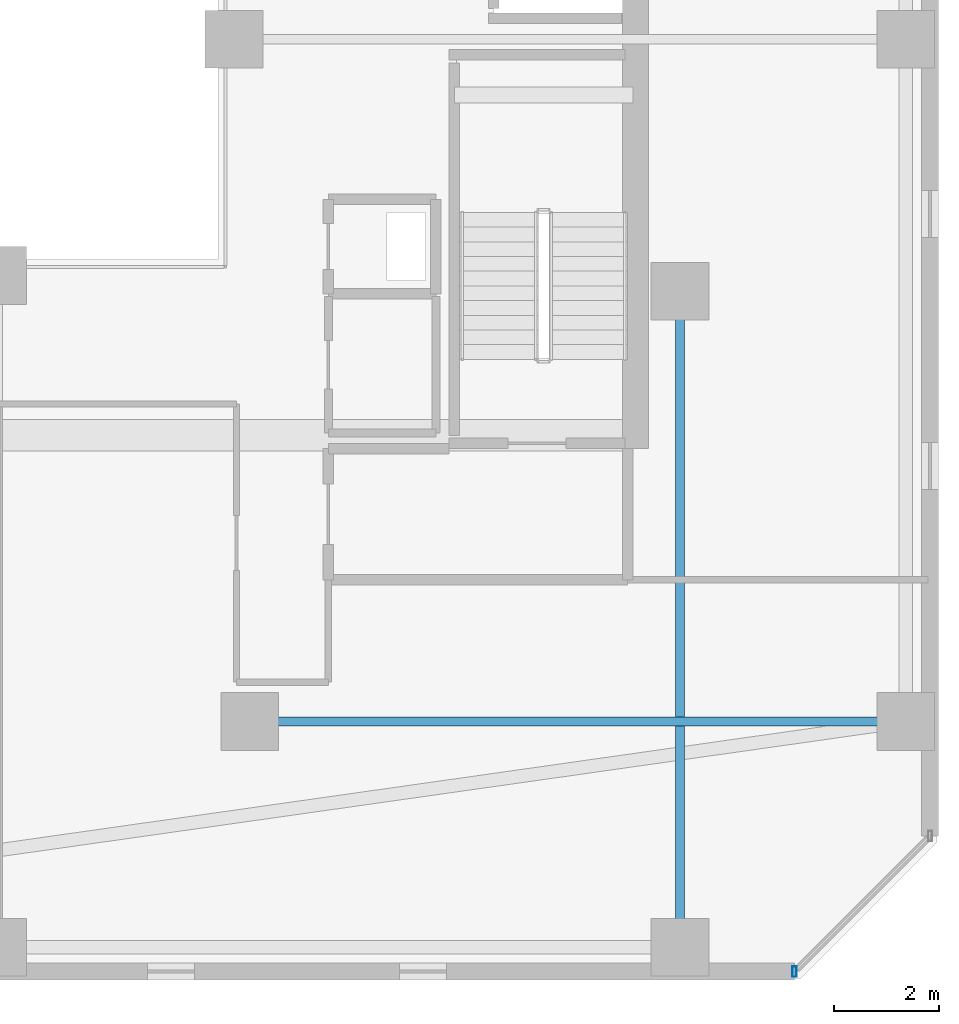
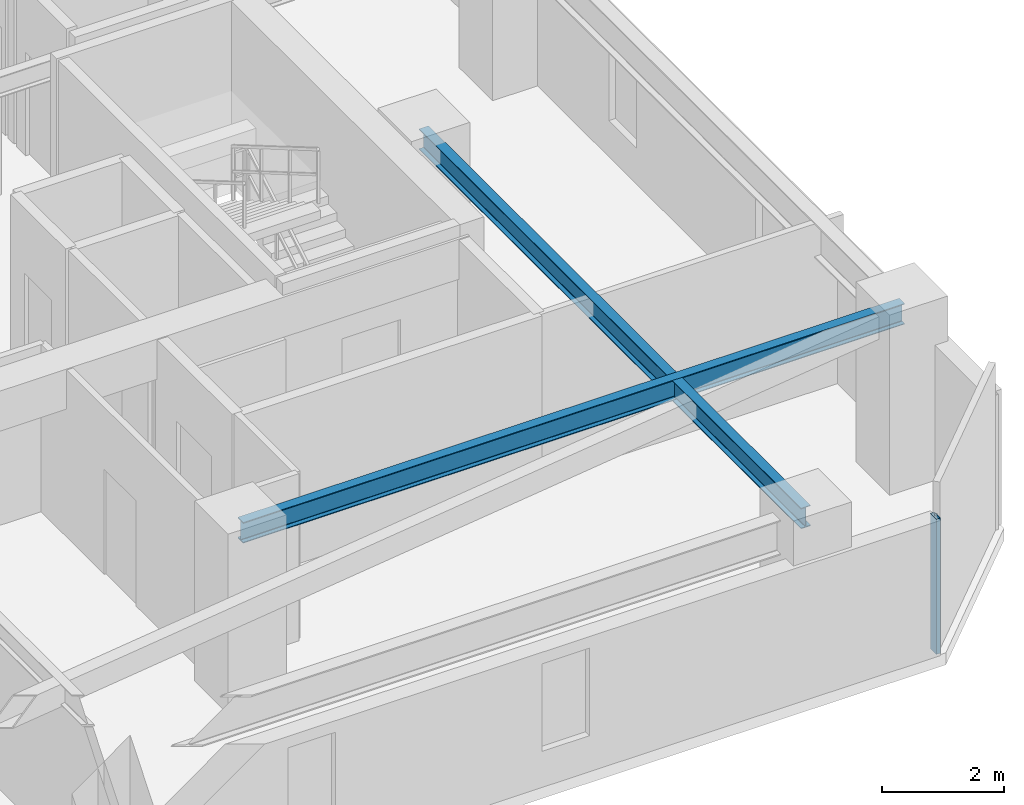
# One storey, part 13 of 32: 2 beams, 1 member, 1 element without a shape of its own.
"""IFC4 building model written with IfcOpenShell, lengths in metres."""

from ifc_helpers import new_model, si_unit, direction, frame, origin, origin_2d, place, context, subcontext, project, spatial, hollow_rectangle, i_section, extrude, material, material_profile, profile_set, type_object, element, aggregate, save


model = new_model("IFC4")

# Units and contexts
model_context = context("Model", 3, precision=1e-05, world=origin(), true_north=direction((0.0, 1.0)))
body_context = subcontext(model_context, "Body", "Model", "MODEL_VIEW")
ifc_project = project(units=[si_unit("LENGTHUNIT", "METRE"), si_unit("AREAUNIT", "SQUARE_METRE"), si_unit("VOLUMEUNIT", "CUBIC_METRE"), si_unit("PLANEANGLEUNIT", "RADIAN"), si_unit("MASSUNIT", "GRAM", prefix="KILO")], contexts=[model_context])

# Site, building, storey
site_placement = place(None, origin())
site = spatial("IfcSite", under=ifc_project, at=site_placement, CompositionType="ELEMENT")
building_placement = place(site_placement, origin())
building = spatial("IfcBuilding", under=site, at=building_placement, Name="Thornwick Lancets Civic Towers", CompositionType="ELEMENT")
storey_placement = place(building_placement, frame((0.0, 0.0, 182.10009765625)))
storey = spatial("IfcBuildingStorey", under=building, at=storey_placement, Name="L48", CompositionType="ELEMENT", Elevation=182.10009765625)

# Beams
ifc_material_1 = material(Name="Steel S355JR", Category="steel")
ifc_material_profile_1 = material_profile(ifc_material_1, i_section(OverallWidth=0.179443359375, OverallDepth=0.412841796875, WebThickness=0.009521484375, FlangeThickness=0.01611328125, FilletRadius=0.01025390625, at=origin_2d()), Name="UKB 406x178x74")
ifc_profile_set_1 = profile_set([ifc_material_profile_1], Name="Steel S355JR")
beam_type = type_object("IfcBeamType", Name="BM_JOIST_406_74", PredefinedType="JOIST", material=ifc_profile_set_1)
for number, where, z_axis, x_axis, name in (
    (1, (93.300048828125, 14.0, 3.153564453125), (1.0, 0.0, 0.0), (0.0, 1.0, 0.0), "BM-RADIN-L48-B01"),
    (2, (101.5, 22.199951171875, 3.153564453125), (0.0, -1.0, 0.0), (1.0, 0.0, 0.0), "BM-RADIN-L48-B10"),
):
    element("IfcBeam", number, at=place(storey_placement, frame(where, z_axis=z_axis, x_axis=x_axis)), inside=storey, type_object=beam_type, Name=name, PredefinedType="JOIST", context=body_context, shape_type="SweptSolid", body=[
        extrude(i_section(OverallWidth=0.179443359375, OverallDepth=0.412841796875, WebThickness=0.009521484375, FlangeThickness=0.01611328125, FilletRadius=0.01025390625, at=origin_2d()), origin(), (0.0, 0.0, 1.0), 12.5),
    ])

# Curtain wall, member
ifc_material_2 = material(Name="Mid-zone chamfered-corner unitised glass curtain wall", Category="glass")
curtain_wall_type = type_object("IfcCurtainWallType", Name="CW_SYS_04", PredefinedType="NOTDEFINED", material=ifc_material_2)
curtain_wall_placement = place(storey_placement, origin())
curtain_wall = element("IfcCurtainWall", 3, at=curtain_wall_placement, inside=storey, type_object=curtain_wall_type, Name="L48 Curtain Wall CW-L48-B-E1", PredefinedType="NOTDEFINED")
ifc_material_3 = material(Name="Thermally broken bronze aluminium S355", Category="steel")
ifc_material_profile_2 = material_profile(ifc_material_3, hollow_rectangle(XDim=0.080078125, YDim=0.199951171875, WallThickness=0.006103515625, at=origin_2d()), Name="RHS 200x80x6")
ifc_profile_set_2 = profile_set([ifc_material_profile_2], Name="Thermally broken bronze aluminium S355")
member_type = type_object("IfcMemberType", Name="CW_MUL_200", PredefinedType="MULLION", material=ifc_profile_set_2)
member_placement = place(storey_placement, frame((103.681396484375, 9.2353515625, 0.0), z_axis=(0.0, 0.0, 1.0), x_axis=(1.0, 0.0, 0.0)))
member = element("IfcMember", 4, at=member_placement, type_object=member_type, Name="CW-L48-B-E1 Mullion 0", PredefinedType="MULLION", context=body_context, shape_type="SweptSolid", body=[
    extrude(hollow_rectangle(XDim=0.080078125, YDim=0.199951171875, WallThickness=0.006103515625, at=origin_2d()), origin(), (0.0, 0.0, 1.0), 2.699951171875),
])
aggregate(curtain_wall, [member])

save(model, "model.ifc")
